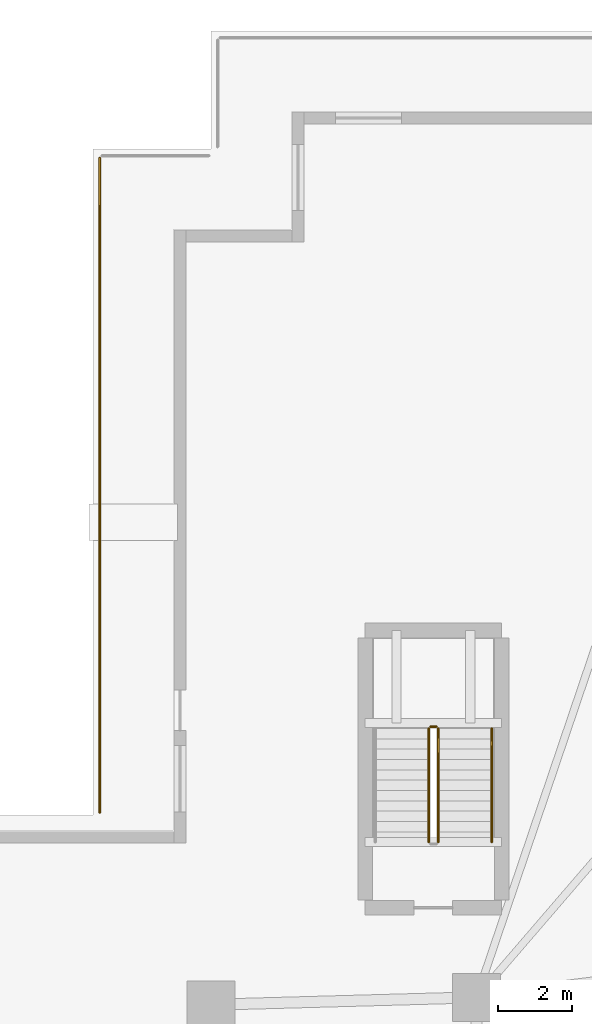
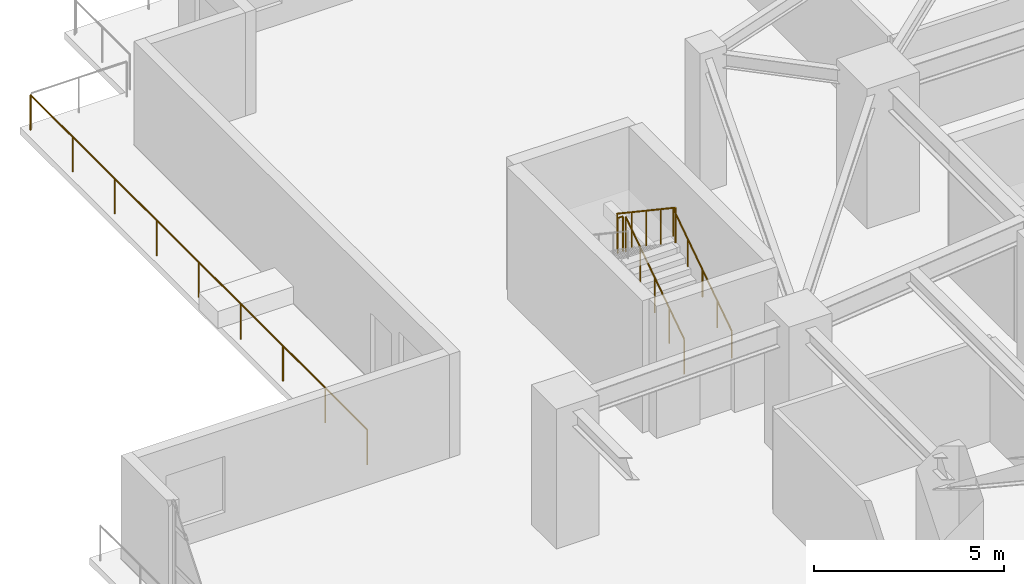
# One storey, part 21 of 23: 5 railings.
"""IFC4 building model written with IfcOpenShell, lengths in metres."""

from ifc_helpers import new_model, si_unit, direction, frame, origin, origin_2d, place, context, subcontext, project, spatial, circle, extrude, material, type_object, element, save


model = new_model("IFC4")

# Units and contexts
model_context = context("Model", 3, precision=1e-05, world=origin(), true_north=direction((0.0, 1.0)))
body_context = subcontext(model_context, "Body", "Model", "MODEL_VIEW")
ifc_project = project(units=[si_unit("LENGTHUNIT", "METRE"), si_unit("AREAUNIT", "SQUARE_METRE"), si_unit("VOLUMEUNIT", "CUBIC_METRE"), si_unit("PLANEANGLEUNIT", "RADIAN"), si_unit("MASSUNIT", "GRAM", prefix="KILO")], contexts=[model_context])

# Site, building, storey
site_placement = place(None, origin())
site = spatial("IfcSite", under=ifc_project, at=site_placement, CompositionType="ELEMENT")
building_placement = place(site_placement, origin())
building = spatial("IfcBuilding", under=site, at=building_placement, Name="Qingluan Cross Belvedere", CompositionType="ELEMENT")
storey_placement = place(building_placement, frame((0.0, 0.0, 10.199951171875)))
storey = spatial("IfcBuildingStorey", under=building, at=storey_placement, Name="L03", CompositionType="ELEMENT", Elevation=10.199951171875)

# Railings
ifc_material_1 = material(Name="Brushed stainless steel tubular handrail", Category="steel")
railing_type_1 = type_object("IfcRailingType", Name="StairPitchHandrail_900", PredefinedType="HANDRAIL", material=ifc_material_1)
railing_1_placement = place(storey_placement, frame((-19.389892578125, 8.2099609375, 0.1875)))
element("IfcRailing", 1, at=railing_1_placement, inside=storey, type_object=railing_type_1, Name="L03 ST5 stair handrail 1", PredefinedType="HANDRAIL", context=body_context, shape_type="SweptSolid", body=[
    extrude(circle(Radius=0.02392578125, at=origin_2d()), frame((0.0, 0.0, 0.8759765625), z_axis=(0.0, 0.830913701846, 0.55640131208), x_axis=(-1.0, 0.0, 0.0)), (0.0, 0.0, 1.0), 3.706787109375),
    extrude(circle(Radius=0.02099609375, at=origin_2d()), origin(), (0.0, 0.0, 1.0), 0.851806640625),
    extrude(circle(Radius=0.02099609375, at=origin_2d()), frame((0.0, 0.77001953125, 0.515625)), (0.0, 0.0, 1.0), 0.851806640625),
    extrude(circle(Radius=0.02099609375, at=origin_2d()), frame((0.0, 1.5400390625, 1.03125)), (0.0, 0.0, 1.0), 0.851806640625),
    extrude(circle(Radius=0.02099609375, at=origin_2d()), frame((0.0, 2.31005859375, 1.546875)), (0.0, 0.0, 1.0), 0.851806640625),
    extrude(circle(Radius=0.02099609375, at=origin_2d()), frame((0.0, 3.080078125, 2.0625)), (0.0, 0.0, 1.0), 0.851806640625),
])
ifc_material_2 = material(Name="Painted steel stair well guard", Category="steel")
railing_type_2 = type_object("IfcRailingType", Name="StairWellGuard_1150", PredefinedType="BALUSTRADE", material=ifc_material_2)
railing_2_placement = place(storey_placement, frame((-20.840087890625, 8.2099609375, 0.1875)))
element("IfcRailing", 2, at=railing_2_placement, inside=storey, type_object=railing_type_2, Name="L03 ST5 stair guard 1", PredefinedType="BALUSTRADE", context=body_context, shape_type="SweptSolid", body=[
    extrude(circle(Radius=0.02392578125, at=origin_2d()), frame((0.0, 0.0, 1.1259765625), z_axis=(0.0, 0.830913701846, 0.55640131208), x_axis=(-1.0, 0.0, 0.0)), (0.0, 0.0, 1.0), 3.706787109375),
    extrude(circle(Radius=0.02099609375, at=origin_2d()), origin(), (0.0, 0.0, 1.0), 1.101806640625),
    extrude(circle(Radius=0.02099609375, at=origin_2d()), frame((0.0, 0.77001953125, 0.515625)), (0.0, 0.0, 1.0), 1.101806640625),
    extrude(circle(Radius=0.02099609375, at=origin_2d()), frame((0.0, 1.5400390625, 1.03125)), (0.0, 0.0, 1.0), 1.101806640625),
    extrude(circle(Radius=0.02099609375, at=origin_2d()), frame((0.0, 2.31005859375, 1.546875)), (0.0, 0.0, 1.0), 1.101806640625),
    extrude(circle(Radius=0.02099609375, at=origin_2d()), frame((0.0, 3.080078125, 2.0625)), (0.0, 0.0, 1.0), 1.101806640625),
])
railing_3_placement = place(storey_placement, frame((-20.889892578125, 11.340087890625, 2.25)))
element("IfcRailing", 3, at=railing_3_placement, inside=storey, type_object=railing_type_2, Name="L03 ST5 stair guard 2", PredefinedType="BALUSTRADE", context=body_context, shape_type="SweptSolid", body=[
    extrude(circle(Radius=0.02392578125, at=origin_2d()), frame((0.0, 0.0, 1.1259765625), z_axis=(-1.0, 0.0, 0.0), x_axis=(0.0, -1.0, 0.0)), (0.0, 0.0, 1.0), 0.16015625),
    extrude(circle(Radius=0.02099609375, at=origin_2d()), origin(), (0.0, 0.0, 1.0), 1.101806640625),
    extrude(circle(Radius=0.02099609375, at=origin_2d()), frame((-0.16015625, 0.0, 0.0)), (0.0, 0.0, 1.0), 1.101806640625),
])
railing_4_placement = place(storey_placement, frame((-21.10009765625, 11.2900390625, 2.4375)))
element("IfcRailing", 4, at=railing_4_placement, inside=storey, type_object=railing_type_2, Name="L03 ST5 stair guard 3", PredefinedType="BALUSTRADE", context=body_context, shape_type="SweptSolid", body=[
    extrude(circle(Radius=0.02392578125, at=origin_2d()), frame((0.0, 0.0, 1.1259765625), z_axis=(0.0, -0.830913701846, 0.55640131208), x_axis=(1.0, 0.0, 0.0)), (0.0, 0.0, 1.0), 3.706787109375),
    extrude(circle(Radius=0.02099609375, at=origin_2d()), origin(), (0.0, 0.0, 1.0), 1.101806640625),
    extrude(circle(Radius=0.02099609375, at=origin_2d()), frame((0.0, -0.77001953125, 0.515625)), (0.0, 0.0, 1.0), 1.101806640625),
    extrude(circle(Radius=0.02099609375, at=origin_2d()), frame((0.0, -1.5400390625, 1.03125)), (0.0, 0.0, 1.0), 1.101806640625),
    extrude(circle(Radius=0.02099609375, at=origin_2d()), frame((0.0, -2.31005859375, 1.546875)), (0.0, 0.0, 1.0), 1.101806640625),
    extrude(circle(Radius=0.02099609375, at=origin_2d()), frame((0.0, -3.080078125, 2.0625)), (0.0, 0.0, 1.0), 1.101806640625),
])
ifc_material_3 = material(Name="Laminated glass and stainless steel balustrade", Category="steel")
railing_type_3 = type_object("IfcRailingType", Name="TerraceGuardBalustrade_1150", PredefinedType="BALUSTRADE", material=ifc_material_3)
railing_5_placement = place(storey_placement, frame((-30.02001953125, 9.010009765625, 0.0)))
element("IfcRailing", 5, at=railing_5_placement, inside=storey, type_object=railing_type_3, Name="Terrace guard L03-2", PredefinedType="BALUSTRADE", context=body_context, shape_type="SweptSolid", body=[
    extrude(circle(Radius=0.02392578125, at=origin_2d()), frame((0.0, 0.0, 1.1259765625), z_axis=(0.0, 1.0, 0.0), x_axis=(-1.0, 0.0, 0.0)), (0.0, 0.0, 1.0), 17.75),
    extrude(circle(Radius=0.02099609375, at=origin_2d()), origin(), (0.0, 0.0, 1.0), 1.101806640625),
    extrude(circle(Radius=0.02099609375, at=origin_2d()), frame((0.0, 2.21875, 0.0)), (0.0, 0.0, 1.0), 1.101806640625),
    extrude(circle(Radius=0.02099609375, at=origin_2d()), frame((0.0, 4.4375, 0.0)), (0.0, 0.0, 1.0), 1.101806640625),
    extrude(circle(Radius=0.02099609375, at=origin_2d()), frame((0.0, 6.65625, 0.0)), (0.0, 0.0, 1.0), 1.101806640625),
    extrude(circle(Radius=0.02099609375, at=origin_2d()), frame((0.0, 8.875, 0.0)), (0.0, 0.0, 1.0), 1.101806640625),
    extrude(circle(Radius=0.02099609375, at=origin_2d()), frame((0.0, 11.09375, 0.0)), (0.0, 0.0, 1.0), 1.101806640625),
    extrude(circle(Radius=0.02099609375, at=origin_2d()), frame((0.0, 13.3125, 0.0)), (0.0, 0.0, 1.0), 1.101806640625),
    extrude(circle(Radius=0.02099609375, at=origin_2d()), frame((0.0, 15.53125, 0.0)), (0.0, 0.0, 1.0), 1.101806640625),
    extrude(circle(Radius=0.02099609375, at=origin_2d()), frame((0.0, 17.75, 0.0)), (0.0, 0.0, 1.0), 1.101806640625),
])

save(model, "model.ifc")
